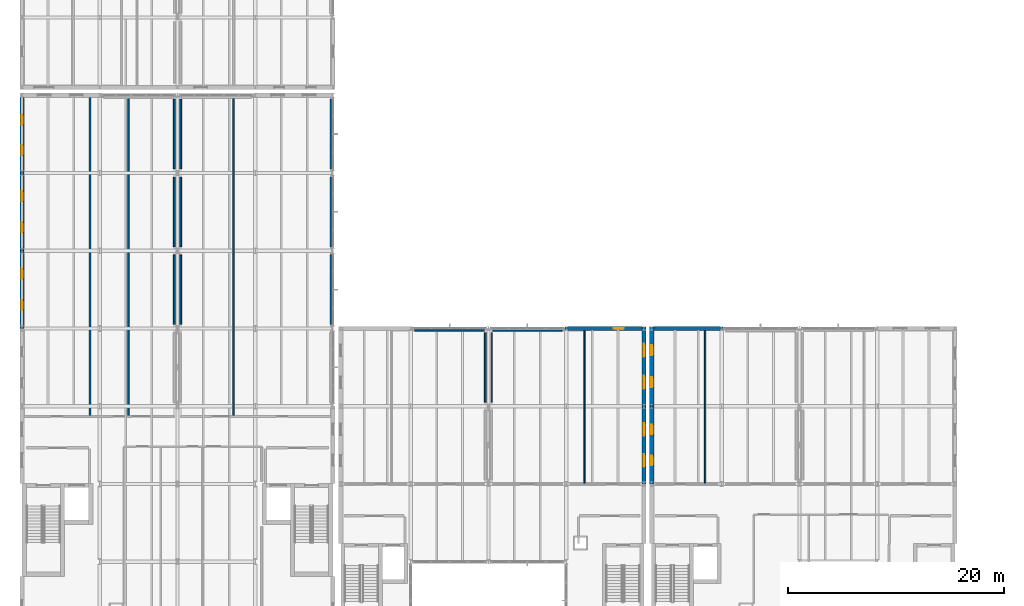
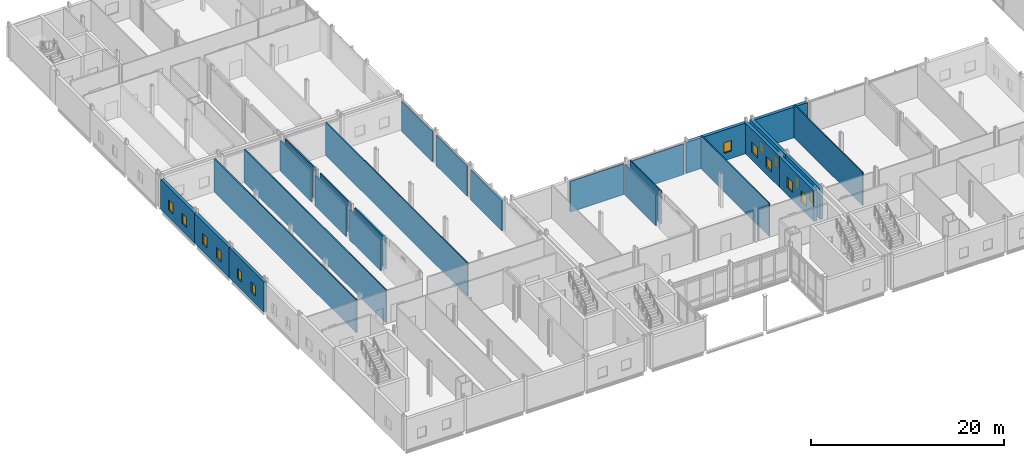
# One storey, part 54 of 76: 27 walls, 15 windows, 15 openings.
"""IFC4 building model written with IfcOpenShell, lengths in metres."""

from ifc_helpers import new_model, si_unit, direction, frame, frame_2d, origin, place, context, subcontext, project, spatial, rectangle, extrude, material, layer, layer_set, type_object, element, fill, save


model = new_model("IFC4")

# Units and contexts
model_context = context("Model", 3, precision=1e-05, world=origin(), true_north=direction((0.0, 1.0)))
body_context = subcontext(model_context, "Body", "Model", "MODEL_VIEW")
ifc_project = project(units=[si_unit("LENGTHUNIT", "METRE"), si_unit("AREAUNIT", "SQUARE_METRE"), si_unit("VOLUMEUNIT", "CUBIC_METRE"), si_unit("PLANEANGLEUNIT", "RADIAN"), si_unit("MASSUNIT", "GRAM", prefix="KILO")], contexts=[model_context])

# Site, building, storey
site_placement = place(None, origin())
site = spatial("IfcSite", under=ifc_project, at=site_placement, CompositionType="ELEMENT")
building_placement = place(site_placement, origin())
building = spatial("IfcBuilding", under=site, at=building_placement, Name="Zarrinpeak Specialist Clinic", CompositionType="ELEMENT")
storey_placement = place(building_placement, frame((0.0, 0.0, 5.199951171875)))
storey = spatial("IfcBuildingStorey", under=building, at=storey_placement, Name="L01", CompositionType="ELEMENT", Elevation=5.199951171875)

# Wall, openings, windows
ifc_material_1 = material(Name="Precast concrete C40/50", Category="concrete")
ifc_layer_1 = layer(ifc_material_1, 0.3798828125)
ifc_layer_set_1 = layer_set([ifc_layer_1], Name="Precast concrete C40/50")
wall_type_1 = type_object("IfcWallType", Name="WL-EW380", PredefinedType="STANDARD", material=ifc_layer_set_1)
wall_1_placement = place(storey_placement, frame((0.0, 36.0, 0.0), z_axis=(0.0, 0.0, 1.0), x_axis=(0.0, -1.0, 0.0)))
wall_1 = element("IfcWall", 1, at=wall_1_placement, inside=storey, type_object=wall_type_1, Name="L01 V1 Exterior GRC Wall EW-L01-V1-0024", PredefinedType="STANDARD", context=body_context, shape_type="SweptSolid", body=[
    extrude(rectangle(XDim=7.199951171875, YDim=0.3798828125, at=frame_2d((3.60009765625, 0.0))), origin(), (0.0, 0.0, 1.0), 3.81005859375),
])
opening_1_placement = place(wall_1_placement, frame((1.712890625, 0.0, 0.949951171875)))
opening_1 = element("IfcOpeningElement", 2, at=opening_1_placement, cuts=wall_1, Name="Opening WS-15", PredefinedType="OPENING", context=body_context, shape_type="SweptSolid", body=[
    extrude(rectangle(XDim=0.89404296875, YDim=1.2958984375, at=frame_2d((0.447021484375, 0.64794921875))), frame((0.0, 0.199951171875, 0.0), z_axis=(0.0, -1.0, 0.0), x_axis=(1.0, 0.0, 0.0)), (0.0, 0.0, 1.0), 0.39990234375),
])
opening_2_placement = place(wall_1_placement, frame((4.593017578125, 0.0, 0.949951171875)))
opening_2 = element("IfcOpeningElement", 3, at=opening_2_placement, cuts=wall_1, Name="Opening WS-15", PredefinedType="OPENING", context=body_context, shape_type="SweptSolid", body=[
    extrude(rectangle(XDim=0.89404296875, YDim=1.2958984375, at=frame_2d((0.447021484375, 0.64794921875))), frame((0.0, 0.199951171875, 0.0), z_axis=(0.0, -1.0, 0.0), x_axis=(1.0, 0.0, 0.0)), (0.0, 0.0, 1.0), 0.39990234375),
])
ifc_material_2 = material(Name="Thermally Broken Aluminium and Low-E Glazing", Category="aluminium")
window_type_1 = type_object("IfcWindowType", Name="WN-SP15", PartitioningType="SINGLE_PANEL", PredefinedType="WINDOW", material=ifc_material_2)
window_1_placement = place(opening_1_placement, origin())
window_1 = element("IfcWindow", 4, at=window_1_placement, inside=storey, type_object=window_type_1, Name="L01 Modular Facade Window WN-L01-0034", OverallHeight=1.2958984375, OverallWidth=0.89404296875, PartitioningType="SINGLE_PANEL", PredefinedType="WINDOW", context=body_context, shape_type="SweptSolid", body=[
    extrude(rectangle(XDim=0.89404296875, YDim=1.2958984375, at=frame_2d((0.447021484375, 0.64794921875))), frame((0.0, 0.030029296875, 0.0), z_axis=(0.0, -1.0, 0.0), x_axis=(1.0, 0.0, 0.0)), (0.0, 0.0, 1.0), 0.06005859375),
])
fill(opening_1, window_1)
window_2_placement = place(opening_2_placement, origin())
window_2 = element("IfcWindow", 5, at=window_2_placement, inside=storey, type_object=window_type_1, Name="L01 Modular Facade Window WN-L01-0035", OverallHeight=1.2958984375, OverallWidth=0.89404296875, PartitioningType="SINGLE_PANEL", PredefinedType="WINDOW", context=body_context, shape_type="SweptSolid", body=[
    extrude(rectangle(XDim=0.89404296875, YDim=1.2958984375, at=frame_2d((0.447021484375, 0.64794921875))), frame((0.0, 0.030029296875, 0.0), z_axis=(0.0, -1.0, 0.0), x_axis=(1.0, 0.0, 0.0)), (0.0, 0.0, 1.0), 0.06005859375),
])
fill(opening_2, window_2)

wall_2_placement = place(storey_placement, frame((0.0, 43.199951171875, 0.0), z_axis=(0.0, 0.0, 1.0), x_axis=(0.0, -1.0, 0.0)))
wall_2 = element("IfcWall", 6, at=wall_2_placement, inside=storey, type_object=wall_type_1, Name="L01 V1 Exterior GRC Wall EW-L01-V1-0025", PredefinedType="STANDARD", context=body_context, shape_type="SweptSolid", body=[
    extrude(rectangle(XDim=7.199951171875, YDim=0.3798828125, at=frame_2d((3.60009765625, 0.0))), origin(), (0.0, 0.0, 1.0), 3.81005859375),
])
opening_3_placement = place(wall_2_placement, frame((1.696044921875, 0.0, 0.949951171875)))
opening_3 = element("IfcOpeningElement", 7, at=opening_3_placement, cuts=wall_2, Name="Opening WS-16", PredefinedType="OPENING", context=body_context, shape_type="SweptSolid", body=[
    extrude(rectangle(XDim=0.927978515625, YDim=1.2958984375, at=frame_2d((0.4638671875, 0.64794921875))), frame((0.0, 0.199951171875, 0.0), z_axis=(0.0, -1.0, 0.0), x_axis=(1.0, 0.0, 0.0)), (0.0, 0.0, 1.0), 0.39990234375),
])
opening_4_placement = place(wall_2_placement, frame((4.575927734375, 0.0, 0.949951171875)))
opening_4 = element("IfcOpeningElement", 8, at=opening_4_placement, cuts=wall_2, Name="Opening WS-16", PredefinedType="OPENING", context=body_context, shape_type="SweptSolid", body=[
    extrude(rectangle(XDim=0.927978515625, YDim=1.2958984375, at=frame_2d((0.4638671875, 0.64794921875))), frame((0.0, 0.199951171875, 0.0), z_axis=(0.0, -1.0, 0.0), x_axis=(1.0, 0.0, 0.0)), (0.0, 0.0, 1.0), 0.39990234375),
])
window_type_2 = type_object("IfcWindowType", Name="WN-SP16", PartitioningType="SINGLE_PANEL", PredefinedType="WINDOW", material=ifc_material_2)
window_3_placement = place(opening_3_placement, origin())
window_3 = element("IfcWindow", 9, at=window_3_placement, inside=storey, type_object=window_type_2, Name="L01 Modular Facade Window WN-L01-0036", OverallHeight=1.2958984375, OverallWidth=0.927978515625, PartitioningType="SINGLE_PANEL", PredefinedType="WINDOW", context=body_context, shape_type="SweptSolid", body=[
    extrude(rectangle(XDim=0.927978515625, YDim=1.2958984375, at=frame_2d((0.4638671875, 0.64794921875))), frame((0.0, 0.030029296875, 0.0), z_axis=(0.0, -1.0, 0.0), x_axis=(1.0, 0.0, 0.0)), (0.0, 0.0, 1.0), 0.06005859375),
])
fill(opening_3, window_3)
window_4_placement = place(opening_4_placement, origin())
window_4 = element("IfcWindow", 10, at=window_4_placement, inside=storey, type_object=window_type_2, Name="L01 Modular Facade Window WN-L01-0037", OverallHeight=1.2958984375, OverallWidth=0.927978515625, PartitioningType="SINGLE_PANEL", PredefinedType="WINDOW", context=body_context, shape_type="SweptSolid", body=[
    extrude(rectangle(XDim=0.927978515625, YDim=1.2958984375, at=frame_2d((0.4638671875, 0.64794921875))), frame((0.0, 0.030029296875, 0.0), z_axis=(0.0, -1.0, 0.0), x_axis=(1.0, 0.0, 0.0)), (0.0, 0.0, 1.0), 0.06005859375),
])
fill(opening_4, window_4)

wall_3_placement = place(storey_placement, frame((0.0, 50.2099609375, 0.0), z_axis=(0.0, 0.0, 1.0), x_axis=(0.0, -1.0, 0.0)))
wall_3 = element("IfcWall", 11, at=wall_3_placement, inside=storey, type_object=wall_type_1, Name="L01 V1 Exterior GRC Wall EW-L01-V1-0026", PredefinedType="STANDARD", context=body_context, shape_type="SweptSolid", body=[
    extrude(rectangle(XDim=7.010009765625, YDim=0.3798828125, at=frame_2d((3.5048828125, 0.0))), origin(), (0.0, 0.0, 1.0), 3.81005859375),
])
opening_5_placement = place(wall_3_placement, frame((1.6220703125, 0.0, 0.949951171875)))
opening_5 = element("IfcOpeningElement", 12, at=opening_5_placement, cuts=wall_3, Name="Opening WS-17", PredefinedType="OPENING", context=body_context, shape_type="SweptSolid", body=[
    extrude(rectangle(XDim=0.9619140625, YDim=1.2958984375, at=frame_2d((0.48095703125, 0.64794921875))), frame((0.0, 0.199951171875, 0.0), z_axis=(0.0, -1.0, 0.0), x_axis=(1.0, 0.0, 0.0)), (0.0, 0.0, 1.0), 0.39990234375),
])
opening_6_placement = place(wall_3_placement, frame((4.426025390625, 0.0, 0.949951171875)))
opening_6 = element("IfcOpeningElement", 13, at=opening_6_placement, cuts=wall_3, Name="Opening WS-17", PredefinedType="OPENING", context=body_context, shape_type="SweptSolid", body=[
    extrude(rectangle(XDim=0.9619140625, YDim=1.2958984375, at=frame_2d((0.48095703125, 0.64794921875))), frame((0.0, 0.199951171875, 0.0), z_axis=(0.0, -1.0, 0.0), x_axis=(1.0, 0.0, 0.0)), (0.0, 0.0, 1.0), 0.39990234375),
])
window_type_3 = type_object("IfcWindowType", Name="WN-SP17", PartitioningType="SINGLE_PANEL", PredefinedType="WINDOW", material=ifc_material_2)
window_5_placement = place(opening_5_placement, origin())
window_5 = element("IfcWindow", 14, at=window_5_placement, inside=storey, type_object=window_type_3, Name="L01 Modular Facade Window WN-L01-0038", OverallHeight=1.2958984375, OverallWidth=0.9619140625, PartitioningType="SINGLE_PANEL", PredefinedType="WINDOW", context=body_context, shape_type="SweptSolid", body=[
    extrude(rectangle(XDim=0.9619140625, YDim=1.2958984375, at=frame_2d((0.48095703125, 0.64794921875))), frame((0.0, 0.030029296875, 0.0), z_axis=(0.0, -1.0, 0.0), x_axis=(1.0, 0.0, 0.0)), (0.0, 0.0, 1.0), 0.06005859375),
])
fill(opening_5, window_5)
window_6_placement = place(opening_6_placement, origin())
window_6 = element("IfcWindow", 15, at=window_6_placement, inside=storey, type_object=window_type_3, Name="L01 Modular Facade Window WN-L01-0039", OverallHeight=1.2958984375, OverallWidth=0.9619140625, PartitioningType="SINGLE_PANEL", PredefinedType="WINDOW", context=body_context, shape_type="SweptSolid", body=[
    extrude(rectangle(XDim=0.9619140625, YDim=1.2958984375, at=frame_2d((0.48095703125, 0.64794921875))), frame((0.0, 0.030029296875, 0.0), z_axis=(0.0, -1.0, 0.0), x_axis=(1.0, 0.0, 0.0)), (0.0, 0.0, 1.0), 0.06005859375),
])
fill(opening_6, window_6)

# Wall, opening, window
wall_4_placement = place(storey_placement, frame((57.409912109375, 28.800048828125, 0.0), z_axis=(0.0, 0.0, 1.0), x_axis=(-1.0, 0.0, 0.0)))
wall_4 = element("IfcWall", 16, at=wall_4_placement, inside=storey, type_object=wall_type_1, Name="L01 V2 Exterior GRC Wall EW-L01-V2-0112", PredefinedType="STANDARD", context=body_context, shape_type="SweptSolid", body=[
    extrude(rectangle(XDim=7.119873046875, YDim=0.3798828125, at=frame_2d((3.56005859375, 0.0))), origin(), (0.0, 0.0, 1.0), 3.880126953125),
])
opening_7_placement = place(wall_4_placement, frame((1.672119140625, 0.0, 0.949951171875)))
opening_7 = element("IfcOpeningElement", 17, at=opening_7_placement, cuts=wall_4, Name="Opening WS-29", PredefinedType="OPENING", context=body_context, shape_type="SweptSolid", body=[
    extrude(rectangle(XDim=0.927978515625, YDim=1.33203125, at=frame_2d((0.4638671875, 0.666015625))), frame((0.0, 0.199951171875, 0.0), z_axis=(0.0, -1.0, 0.0), x_axis=(1.0, 0.0, 0.0)), (0.0, 0.0, 1.0), 0.39990234375),
])
window_type_4 = type_object("IfcWindowType", Name="WN-SP29", PartitioningType="SINGLE_PANEL", PredefinedType="WINDOW", material=ifc_material_2)
window_7_placement = place(opening_7_placement, origin())
window_7 = element("IfcWindow", 18, at=window_7_placement, inside=storey, type_object=window_type_4, Name="L01 Modular Facade Window WN-L01-0149", OverallHeight=1.33203125, OverallWidth=0.927978515625, PartitioningType="SINGLE_PANEL", PredefinedType="WINDOW", context=body_context, shape_type="SweptSolid", body=[
    extrude(rectangle(XDim=0.927978515625, YDim=1.33203125, at=frame_2d((0.4638671875, 0.666015625))), frame((0.0, 0.030029296875, 0.0), z_axis=(0.0, -1.0, 0.0), x_axis=(1.0, 0.0, 0.0)), (0.0, 0.0, 1.0), 0.06005859375),
])
fill(opening_7, window_7)

# Wall, openings, windows
wall_5_placement = place(storey_placement, frame((57.60009765625, 14.39990234375, 0.0), z_axis=(0.0, 0.0, 1.0), x_axis=(0.0, 1.0, 0.0)))
wall_5 = element("IfcWall", 19, at=wall_5_placement, inside=storey, type_object=wall_type_1, Name="L01 V2 Exterior GRC Wall EW-L01-V2-0119", PredefinedType="STANDARD", context=body_context, shape_type="SweptSolid", body=[
    extrude(rectangle(XDim=7.2001953125, YDim=0.3798828125, at=frame_2d((3.60009765625, 0.0))), origin(), (0.0, 0.0, 1.0), 3.880126953125),
])
opening_8_placement = place(wall_5_placement, frame((1.576904296875, 0.0, 0.949951171875)))
opening_8 = element("IfcOpeningElement", 20, at=opening_8_placement, cuts=wall_5, Name="Opening WS-36", PredefinedType="OPENING", context=body_context, shape_type="SweptSolid", body=[
    extrude(rectangle(XDim=1.166015625, YDim=1.33203125, at=frame_2d((0.5830078125, 0.666015625))), frame((0.0, 0.199951171875, 0.0), z_axis=(0.0, -1.0, 0.0), x_axis=(1.0, 0.0, 0.0)), (0.0, 0.0, 1.0), 0.39990234375),
])
opening_9_placement = place(wall_5_placement, frame((4.45703125, 0.0, 0.949951171875)))
opening_9 = element("IfcOpeningElement", 21, at=opening_9_placement, cuts=wall_5, Name="Opening WS-36", PredefinedType="OPENING", context=body_context, shape_type="SweptSolid", body=[
    extrude(rectangle(XDim=1.166015625, YDim=1.33203125, at=frame_2d((0.5830078125, 0.666015625))), frame((0.0, 0.199951171875, 0.0), z_axis=(0.0, -1.0, 0.0), x_axis=(1.0, 0.0, 0.0)), (0.0, 0.0, 1.0), 0.39990234375),
])
window_type_5 = type_object("IfcWindowType", Name="WN-SP36", PartitioningType="SINGLE_PANEL", PredefinedType="WINDOW", material=ifc_material_2)
window_8_placement = place(opening_8_placement, origin())
window_8 = element("IfcWindow", 22, at=window_8_placement, inside=storey, type_object=window_type_5, Name="L01 Modular Facade Window WN-L01-0154", OverallHeight=1.33203125, OverallWidth=1.166015625, PartitioningType="SINGLE_PANEL", PredefinedType="WINDOW", context=body_context, shape_type="SweptSolid", body=[
    extrude(rectangle(XDim=1.166015625, YDim=1.33203125, at=frame_2d((0.5830078125, 0.666015625))), frame((0.0, 0.030029296875, 0.0), z_axis=(0.0, -1.0, 0.0), x_axis=(1.0, 0.0, 0.0)), (0.0, 0.0, 1.0), 0.06005859375),
])
fill(opening_8, window_8)
window_9_placement = place(opening_9_placement, origin())
window_9 = element("IfcWindow", 23, at=window_9_placement, inside=storey, type_object=window_type_5, Name="L01 Modular Facade Window WN-L01-0155", OverallHeight=1.33203125, OverallWidth=1.166015625, PartitioningType="SINGLE_PANEL", PredefinedType="WINDOW", context=body_context, shape_type="SweptSolid", body=[
    extrude(rectangle(XDim=1.166015625, YDim=1.33203125, at=frame_2d((0.5830078125, 0.666015625))), frame((0.0, 0.030029296875, 0.0), z_axis=(0.0, -1.0, 0.0), x_axis=(1.0, 0.0, 0.0)), (0.0, 0.0, 1.0), 0.06005859375),
])
fill(opening_9, window_9)

wall_6_placement = place(storey_placement, frame((57.60009765625, 21.60009765625, 0.0), z_axis=(0.0, 0.0, 1.0), x_axis=(0.0, 1.0, 0.0)))
wall_6 = element("IfcWall", 24, at=wall_6_placement, inside=storey, type_object=wall_type_1, Name="L01 V2 Exterior GRC Wall EW-L01-V2-0120", PredefinedType="STANDARD", context=body_context, shape_type="SweptSolid", body=[
    extrude(rectangle(XDim=7.389892578125, YDim=0.3798828125, at=frame_2d((3.69482421875, 0.0))), origin(), (0.0, 0.0, 1.0), 3.880126953125),
])
opening_10_placement = place(wall_6_placement, frame((1.616943359375, 0.0, 0.949951171875)))
opening_10 = element("IfcOpeningElement", 25, at=opening_10_placement, cuts=wall_6, Name="Opening WS-37", PredefinedType="OPENING", context=body_context, shape_type="SweptSolid", body=[
    extrude(rectangle(XDim=1.199951171875, YDim=1.33203125, at=frame_2d((0.60009765625, 0.666015625))), frame((0.0, 0.199951171875, 0.0), z_axis=(0.0, -1.0, 0.0), x_axis=(1.0, 0.0, 0.0)), (0.0, 0.0, 1.0), 0.39990234375),
])
opening_11_placement = place(wall_6_placement, frame((4.572998046875, 0.0, 0.949951171875)))
opening_11 = element("IfcOpeningElement", 26, at=opening_11_placement, cuts=wall_6, Name="Opening WS-37", PredefinedType="OPENING", context=body_context, shape_type="SweptSolid", body=[
    extrude(rectangle(XDim=1.199951171875, YDim=1.33203125, at=frame_2d((0.60009765625, 0.666015625))), frame((0.0, 0.199951171875, 0.0), z_axis=(0.0, -1.0, 0.0), x_axis=(1.0, 0.0, 0.0)), (0.0, 0.0, 1.0), 0.39990234375),
])
window_type_6 = type_object("IfcWindowType", Name="WN-SP37", PartitioningType="SINGLE_PANEL", PredefinedType="WINDOW", material=ifc_material_2)
window_10_placement = place(opening_10_placement, origin())
window_10 = element("IfcWindow", 27, at=window_10_placement, inside=storey, type_object=window_type_6, Name="L01 Modular Facade Window WN-L01-0156", OverallHeight=1.33203125, OverallWidth=1.199951171875, PartitioningType="SINGLE_PANEL", PredefinedType="WINDOW", context=body_context, shape_type="SweptSolid", body=[
    extrude(rectangle(XDim=1.199951171875, YDim=1.33203125, at=frame_2d((0.60009765625, 0.666015625))), frame((0.0, 0.030029296875, 0.0), z_axis=(0.0, -1.0, 0.0), x_axis=(1.0, 0.0, 0.0)), (0.0, 0.0, 1.0), 0.06005859375),
])
fill(opening_10, window_10)
window_11_placement = place(opening_11_placement, origin())
window_11 = element("IfcWindow", 28, at=window_11_placement, inside=storey, type_object=window_type_6, Name="L01 Modular Facade Window WN-L01-0157", OverallHeight=1.33203125, OverallWidth=1.199951171875, PartitioningType="SINGLE_PANEL", PredefinedType="WINDOW", context=body_context, shape_type="SweptSolid", body=[
    extrude(rectangle(XDim=1.199951171875, YDim=1.33203125, at=frame_2d((0.60009765625, 0.666015625))), frame((0.0, 0.030029296875, 0.0), z_axis=(0.0, -1.0, 0.0), x_axis=(1.0, 0.0, 0.0)), (0.0, 0.0, 1.0), 0.06005859375),
])
fill(opening_11, window_11)

# Wall
wall_7_placement = place(storey_placement, frame((64.909912109375, 28.800048828125, 0.0), z_axis=(0.0, 0.0, 1.0), x_axis=(-1.0, 0.0, 0.0)))
element("IfcWall", 29, at=wall_7_placement, inside=storey, type_object=wall_type_1, Name="L01 V4 Exterior GRC Wall EW-L01-V4-0168", PredefinedType="STANDARD", context=body_context, shape_type="SweptSolid", body=[
    extrude(rectangle(XDim=6.39990234375, YDim=0.3798828125, at=frame_2d((3.199951171875, 0.0))), origin(), (0.0, 0.0, 1.0), 3.880126953125),
])

# Wall, openings, windows
wall_8_placement = place(storey_placement, frame((58.320068359375, 21.60009765625, 0.0), z_axis=(0.0, 0.0, 1.0), x_axis=(0.0, -1.0, 0.0)))
wall_8 = element("IfcWall", 30, at=wall_8_placement, inside=storey, type_object=wall_type_1, Name="L01 V4 Exterior GRC Wall EW-L01-V4-0172", PredefinedType="STANDARD", context=body_context, shape_type="SweptSolid", body=[
    extrude(rectangle(XDim=7.2001953125, YDim=0.3798828125, at=frame_2d((3.60009765625, 0.0))), origin(), (0.0, 0.0, 1.0), 3.880126953125),
])
opening_12_placement = place(wall_8_placement, frame((1.712890625, 0.0, 0.949951171875)))
opening_12 = element("IfcOpeningElement", 31, at=opening_12_placement, cuts=wall_8, Name="Opening WS-15", PredefinedType="OPENING", context=body_context, shape_type="SweptSolid", body=[
    extrude(rectangle(XDim=0.89404296875, YDim=1.2958984375, at=frame_2d((0.447021484375, 0.64794921875))), frame((0.0, 0.199951171875, 0.0), z_axis=(0.0, -1.0, 0.0), x_axis=(1.0, 0.0, 0.0)), (0.0, 0.0, 1.0), 0.39990234375),
])
opening_13_placement = place(wall_8_placement, frame((4.593017578125, 0.0, 0.949951171875)))
opening_13 = element("IfcOpeningElement", 32, at=opening_13_placement, cuts=wall_8, Name="Opening WS-15", PredefinedType="OPENING", context=body_context, shape_type="SweptSolid", body=[
    extrude(rectangle(XDim=0.89404296875, YDim=1.2958984375, at=frame_2d((0.447021484375, 0.64794921875))), frame((0.0, 0.199951171875, 0.0), z_axis=(0.0, -1.0, 0.0), x_axis=(1.0, 0.0, 0.0)), (0.0, 0.0, 1.0), 0.39990234375),
])
window_12_placement = place(opening_12_placement, origin())
window_12 = element("IfcWindow", 33, at=window_12_placement, inside=storey, type_object=window_type_1, Name="L01 Modular Facade Window WN-L01-0202", OverallHeight=1.2958984375, OverallWidth=0.89404296875, PartitioningType="SINGLE_PANEL", PredefinedType="WINDOW", context=body_context, shape_type="SweptSolid", body=[
    extrude(rectangle(XDim=0.89404296875, YDim=1.2958984375, at=frame_2d((0.447021484375, 0.64794921875))), frame((0.0, 0.030029296875, 0.0), z_axis=(0.0, -1.0, 0.0), x_axis=(1.0, 0.0, 0.0)), (0.0, 0.0, 1.0), 0.06005859375),
])
fill(opening_12, window_12)
window_13_placement = place(opening_13_placement, origin())
window_13 = element("IfcWindow", 34, at=window_13_placement, inside=storey, type_object=window_type_1, Name="L01 Modular Facade Window WN-L01-0203", OverallHeight=1.2958984375, OverallWidth=0.89404296875, PartitioningType="SINGLE_PANEL", PredefinedType="WINDOW", context=body_context, shape_type="SweptSolid", body=[
    extrude(rectangle(XDim=0.89404296875, YDim=1.2958984375, at=frame_2d((0.447021484375, 0.64794921875))), frame((0.0, 0.030029296875, 0.0), z_axis=(0.0, -1.0, 0.0), x_axis=(1.0, 0.0, 0.0)), (0.0, 0.0, 1.0), 0.06005859375),
])
fill(opening_13, window_13)

wall_9_placement = place(storey_placement, frame((58.320068359375, 28.989990234375, 0.0), z_axis=(0.0, 0.0, 1.0), x_axis=(0.0, -1.0, 0.0)))
wall_9 = element("IfcWall", 35, at=wall_9_placement, inside=storey, type_object=wall_type_1, Name="L01 V4 Exterior GRC Wall EW-L01-V4-0173", PredefinedType="STANDARD", context=body_context, shape_type="SweptSolid", body=[
    extrude(rectangle(XDim=7.389892578125, YDim=0.3798828125, at=frame_2d((3.69482421875, 0.0))), origin(), (0.0, 0.0, 1.0), 3.880126953125),
])
opening_14_placement = place(wall_9_placement, frame((1.7529296875, 0.0, 0.949951171875)))
opening_14 = element("IfcOpeningElement", 36, at=opening_14_placement, cuts=wall_9, Name="Opening WS-16", PredefinedType="OPENING", context=body_context, shape_type="SweptSolid", body=[
    extrude(rectangle(XDim=0.927978515625, YDim=1.2958984375, at=frame_2d((0.4638671875, 0.64794921875))), frame((0.0, 0.199951171875, 0.0), z_axis=(0.0, -1.0, 0.0), x_axis=(1.0, 0.0, 0.0)), (0.0, 0.0, 1.0), 0.39990234375),
])
opening_15_placement = place(wall_9_placement, frame((4.708984375, 0.0, 0.949951171875)))
opening_15 = element("IfcOpeningElement", 37, at=opening_15_placement, cuts=wall_9, Name="Opening WS-16", PredefinedType="OPENING", context=body_context, shape_type="SweptSolid", body=[
    extrude(rectangle(XDim=0.927978515625, YDim=1.2958984375, at=frame_2d((0.4638671875, 0.64794921875))), frame((0.0, 0.199951171875, 0.0), z_axis=(0.0, -1.0, 0.0), x_axis=(1.0, 0.0, 0.0)), (0.0, 0.0, 1.0), 0.39990234375),
])
window_14_placement = place(opening_14_placement, origin())
window_14 = element("IfcWindow", 38, at=window_14_placement, inside=storey, type_object=window_type_2, Name="L01 Modular Facade Window WN-L01-0204", OverallHeight=1.2958984375, OverallWidth=0.927978515625, PartitioningType="SINGLE_PANEL", PredefinedType="WINDOW", context=body_context, shape_type="SweptSolid", body=[
    extrude(rectangle(XDim=0.927978515625, YDim=1.2958984375, at=frame_2d((0.4638671875, 0.64794921875))), frame((0.0, 0.030029296875, 0.0), z_axis=(0.0, -1.0, 0.0), x_axis=(1.0, 0.0, 0.0)), (0.0, 0.0, 1.0), 0.06005859375),
])
fill(opening_14, window_14)
window_15_placement = place(opening_15_placement, origin())
window_15 = element("IfcWindow", 39, at=window_15_placement, inside=storey, type_object=window_type_2, Name="L01 Modular Facade Window WN-L01-0205", OverallHeight=1.2958984375, OverallWidth=0.927978515625, PartitioningType="SINGLE_PANEL", PredefinedType="WINDOW", context=body_context, shape_type="SweptSolid", body=[
    extrude(rectangle(XDim=0.927978515625, YDim=1.2958984375, at=frame_2d((0.4638671875, 0.64794921875))), frame((0.0, 0.030029296875, 0.0), z_axis=(0.0, -1.0, 0.0), x_axis=(1.0, 0.0, 0.0)), (0.0, 0.0, 1.0), 0.06005859375),
])
fill(opening_15, window_15)

# Walls
ifc_material_3 = material(Name="Cleanroom Flush Phenolic Partition", Category="gypsum")
ifc_layer_2 = layer(ifc_material_3, 0.117919921875)
ifc_layer_set_2 = layer_set([ifc_layer_2], Name="Cleanroom Flush Phenolic Partition")
wall_type_2 = type_object("IfcWallType", Name="WL-IW118", PredefinedType="PARTITIONING", material=ifc_layer_set_2)
wall_10_placement = place(storey_placement, frame((43.580078125, 28.60009765625, 0.0), z_axis=(0.0, 0.0, 1.0), x_axis=(1.0, 0.0, 0.0)))
element("IfcWall", 40, at=wall_10_placement, inside=storey, type_object=wall_type_2, Name="L01 Compounding Cleanroom Pharmacy Partition", PredefinedType="PARTITIONING", context=body_context, shape_type="SweptSolid", body=[
    extrude(rectangle(XDim=6.43994140625, YDim=0.117919921875, at=frame_2d((3.219970703125, 0.0))), origin(), (0.0, 0.0, 1.0), 3.880126953125),
])
wall_11_placement = place(storey_placement, frame((43.5, 21.97998046875, 0.0), z_axis=(0.0, 0.0, 1.0), x_axis=(0.0, 1.0, 0.0)))
element("IfcWall", 41, at=wall_11_placement, inside=storey, type_object=wall_type_2, Name="L01 Compounding Cleanroom Pharmacy Dividing Partition", PredefinedType="PARTITIONING", context=body_context, shape_type="SweptSolid", body=[
    extrude(rectangle(XDim=6.43994140625, YDim=0.117919921875, at=frame_2d((3.219970703125, 0.0))), origin(), (0.0, 0.0, 1.0), 4.18505859375),
])
ifc_material_4 = material(Name="Moisture-Resistant Wet-Room Partition", Category="gypsum")
ifc_layer_3 = layer(ifc_material_4, 0.125)
ifc_layer_set_3 = layer_set([ifc_layer_3], Name="Moisture-Resistant Wet-Room Partition")
wall_type_3 = type_object("IfcWallType", Name="WL-IW125W", PredefinedType="PARTITIONING", material=ifc_layer_set_3)
for number, where, z_axis, x_axis, name in (
    (42, (52.10009765625, 14.41259765625, 0.0), (0.0, 0.0, 1.0), (0.0, 1.0, 0.0), "L01 Staff WC Dividing Partition"),
    (43, (63.27001953125, 14.41259765625, 0.0), (0.0, 0.0, 1.0), (0.0, 1.0, 0.0), "L01 Staff Scrub WC Dividing Partition"),
):
    element("IfcWall", number, at=place(storey_placement, frame(where, z_axis=z_axis, x_axis=x_axis)), inside=storey, type_object=wall_type_3, Name=name, PredefinedType="PARTITIONING", context=body_context, shape_type="SweptSolid", body=[
        extrude(rectangle(XDim=14.1875, YDim=0.125, at=frame_2d((7.09375, 0.0))), origin(), (0.0, 0.0, 1.0), 4.18505859375),
    ])
ifc_material_5 = material(Name="Standard Drywall Partition", Category="gypsum")
ifc_layer_4 = layer(ifc_material_5, 0.135009765625)
ifc_layer_set_4 = layer_set([ifc_layer_4], Name="Standard Drywall Partition")
wall_type_4 = type_object("IfcWallType", Name="WL-IW135", PredefinedType="PARTITIONING", material=ifc_layer_set_4)
wall_12_placement = place(storey_placement, frame((19.60009765625, 20.72998046875, 0.0), z_axis=(0.0, 0.0, 1.0), x_axis=(0.0, 1.0, 0.0)))
element("IfcWall", 44, at=wall_12_placement, inside=storey, type_object=wall_type_4, Name="L01 Cardiac Stress Testing Room Dividing Partition", PredefinedType="PARTITIONING", context=body_context, shape_type="SweptSolid", body=[
    extrude(rectangle(XDim=29.39013671875, YDim=0.135009765625, at=frame_2d((14.695068359375, 0.0))), origin(), (0.0, 0.0, 1.0), 4.18505859375),
])
wall_13_placement = place(storey_placement, frame((28.60009765625, 43.580078125, 0.0), z_axis=(0.0, 0.0, 1.0), x_axis=(0.0, 1.0, 0.0)))
element("IfcWall", 45, at=wall_13_placement, inside=storey, type_object=wall_type_4, Name="L01 Specialist Consultation Room 1 Dividing Partition", PredefinedType="PARTITIONING", context=body_context, shape_type="SweptSolid", body=[
    extrude(rectangle(XDim=6.43994140625, YDim=0.135009765625, at=frame_2d((3.219970703125, 0.0))), origin(), (0.0, 0.0, 1.0), 3.81005859375),
])
ifc_material_6 = material(Name="Acoustic Consultation Stud Partition", Category="gypsum")
ifc_layer_5 = layer(ifc_material_6, 0.14208984375)
ifc_layer_set_5 = layer_set([ifc_layer_5], Name="Acoustic Consultation Stud Partition")
wall_type_5 = type_object("IfcWallType", Name="WL-IW142", PredefinedType="PARTITIONING", material=ifc_layer_set_5)
wall_14_placement = place(storey_placement, frame((36.3798828125, 28.60009765625, 0.0), z_axis=(0.0, 0.0, 1.0), x_axis=(1.0, 0.0, 0.0)))
element("IfcWall", 46, at=wall_14_placement, inside=storey, type_object=wall_type_5, Name="L01 Medication Counseling Consult Partition", PredefinedType="PARTITIONING", context=body_context, shape_type="SweptSolid", body=[
    extrude(rectangle(XDim=6.440185546875, YDim=0.14208984375, at=frame_2d((3.22021484375, 0.0))), origin(), (0.0, 0.0, 1.0), 3.880126953125),
])
wall_15_placement = place(storey_placement, frame((14.699951171875, 43.580078125, 0.0), z_axis=(0.0, 0.0, 1.0), x_axis=(0.0, 1.0, 0.0)))
element("IfcWall", 47, at=wall_15_placement, inside=storey, type_object=wall_type_5, Name="L01 Cardiac Stress Testing Room Dividing Partition", PredefinedType="PARTITIONING", context=body_context, shape_type="SweptSolid", body=[
    extrude(rectangle(XDim=6.43994140625, YDim=0.14208984375, at=frame_2d((3.219970703125, 0.0))), origin(), (0.0, 0.0, 1.0), 3.880126953125),
])
wall_16_placement = place(storey_placement, frame((28.60009765625, 36.3798828125, 0.0), z_axis=(0.0, 0.0, 1.0), x_axis=(0.0, 1.0, 0.0)))
element("IfcWall", 48, at=wall_16_placement, inside=storey, type_object=wall_type_5, Name="L01 Specialist Consultation Room 1 Dividing Partition", PredefinedType="PARTITIONING", context=body_context, shape_type="SweptSolid", body=[
    extrude(rectangle(XDim=6.440185546875, YDim=0.14208984375, at=frame_2d((3.22021484375, 0.0))), origin(), (0.0, 0.0, 1.0), 3.81005859375),
])
ifc_material_7 = material(Name="Insulated Clinical Gypsum Stud Partition", Category="gypsum")
ifc_layer_6 = layer(ifc_material_7, 0.14990234375)
ifc_layer_set_6 = layer_set([ifc_layer_6], Name="Insulated Clinical Gypsum Stud Partition")
wall_type_6 = type_object("IfcWallType", Name="WL-IW150", PredefinedType="PARTITIONING", material=ifc_layer_set_6)
wall_17_placement = place(storey_placement, frame((9.85009765625, 20.717529296875, 0.0), z_axis=(0.0, 0.0, 1.0), x_axis=(0.0, 1.0, 0.0)))
element("IfcWall", 49, at=wall_17_placement, inside=storey, type_object=wall_type_6, Name="L01 Cardiology Echocardiography Room Dividing Partition", PredefinedType="PARTITIONING", context=body_context, shape_type="SweptSolid", body=[
    extrude(rectangle(XDim=29.411376953125, YDim=0.14990234375, at=frame_2d((14.70556640625, 0.0))), origin(), (0.0, 0.0, 1.0), 4.18505859375),
])
wall_18_placement = place(storey_placement, frame((14.699951171875, 36.3798828125, 0.0), z_axis=(0.0, 0.0, 1.0), x_axis=(0.0, 1.0, 0.0)))
element("IfcWall", 50, at=wall_18_placement, inside=storey, type_object=wall_type_6, Name="L01 Cardiac Stress Testing Room Dividing Partition", PredefinedType="PARTITIONING", context=body_context, shape_type="SweptSolid", body=[
    extrude(rectangle(XDim=6.440185546875, YDim=0.14990234375, at=frame_2d((3.22021484375, 0.0))), origin(), (0.0, 0.0, 1.0), 3.880126953125),
])
wall_19_placement = place(storey_placement, frame((28.60009765625, 29.179931640625, 0.0), z_axis=(0.0, 0.0, 1.0), x_axis=(0.0, 1.0, 0.0)))
element("IfcWall", 51, at=wall_19_placement, inside=storey, type_object=wall_type_6, Name="L01 Specialist Consultation Room 1 Dividing Partition", PredefinedType="PARTITIONING", context=body_context, shape_type="SweptSolid", body=[
    extrude(rectangle(XDim=6.440185546875, YDim=0.14990234375, at=frame_2d((3.22021484375, 0.0))), origin(), (0.0, 0.0, 1.0), 3.81005859375),
])
ifc_material_8 = material(Name="Lead-Lined X-Ray Diagnostic Partition", Category="gypsum")
ifc_layer_7 = layer(ifc_material_8, 0.157958984375)
ifc_layer_set_7 = layer_set([ifc_layer_7], Name="Lead-Lined X-Ray Diagnostic Partition")
wall_type_7 = type_object("IfcWallType", Name="WL-IW158", PredefinedType="PARTITIONING", material=ifc_layer_set_7)
for number, where, z_axis, x_axis, name in (
    (52, (14.10009765625, 29.179931640625, 0.0), (0.0, 0.0, 1.0), (0.0, 1.0, 0.0), "L01 Vascular Doppler Lab Dividing Partition"),
    (53, (14.10009765625, 36.3798828125, 0.0), (0.0, 0.0, 1.0), (0.0, 1.0, 0.0), "L01 Vascular Doppler Lab Dividing Partition"),
):
    element("IfcWall", number, at=place(storey_placement, frame(where, z_axis=z_axis, x_axis=x_axis)), inside=storey, type_object=wall_type_7, Name=name, PredefinedType="PARTITIONING", context=body_context, shape_type="SweptSolid", body=[
        extrude(rectangle(XDim=6.440185546875, YDim=0.157958984375, at=frame_2d((3.22021484375, 0.0))), origin(), (0.0, 0.0, 1.0), 3.880126953125),
    ])
wall_20_placement = place(storey_placement, frame((14.10009765625, 43.580078125, 0.0), z_axis=(0.0, 0.0, 1.0), x_axis=(0.0, 1.0, 0.0)))
element("IfcWall", 54, at=wall_20_placement, inside=storey, type_object=wall_type_7, Name="L01 Vascular Doppler Lab Dividing Partition", PredefinedType="PARTITIONING", context=body_context, shape_type="SweptSolid", body=[
    extrude(rectangle(XDim=6.43994140625, YDim=0.157958984375, at=frame_2d((3.219970703125, 0.0))), origin(), (0.0, 0.0, 1.0), 3.880126953125),
])
ifc_material_9 = material(Name="Acoustic Double Gypsum Stud Partition", Category="gypsum")
ifc_layer_8 = layer(ifc_material_9, 0.159912109375)
ifc_layer_set_8 = layer_set([ifc_layer_8], Name="Acoustic Double Gypsum Stud Partition")
wall_type_8 = type_object("IfcWallType", Name="WL-IW160", PredefinedType="PARTITIONING", material=ifc_layer_set_8)
wall_21_placement = place(storey_placement, frame((6.300048828125, 20.717529296875, 0.0), z_axis=(0.0, 0.0, 1.0), x_axis=(0.0, 1.0, 0.0)))
element("IfcWall", 55, at=wall_21_placement, inside=storey, type_object=wall_type_8, Name="L01 Cardiology Echocardiography Room Dividing Partition", PredefinedType="PARTITIONING", context=body_context, shape_type="SweptSolid", body=[
    extrude(rectangle(XDim=29.482421875, YDim=0.159912109375, at=frame_2d((14.7412109375, 0.0))), origin(), (0.0, 0.0, 1.0), 4.18505859375),
])
wall_22_placement = place(storey_placement, frame((14.699951171875, 29.179931640625, 0.0), z_axis=(0.0, 0.0, 1.0), x_axis=(0.0, 1.0, 0.0)))
element("IfcWall", 56, at=wall_22_placement, inside=storey, type_object=wall_type_8, Name="L01 Cardiac Stress Testing Room Dividing Partition", PredefinedType="PARTITIONING", context=body_context, shape_type="SweptSolid", body=[
    extrude(rectangle(XDim=6.440185546875, YDim=0.159912109375, at=frame_2d((3.22021484375, 0.0))), origin(), (0.0, 0.0, 1.0), 3.880126953125),
])
wall_23_placement = place(storey_placement, frame((42.89990234375, 21.97998046875, 0.0), z_axis=(0.0, 0.0, 1.0), x_axis=(0.0, 1.0, 0.0)))
element("IfcWall", 57, at=wall_23_placement, inside=storey, type_object=wall_type_8, Name="L01 Medication Counseling Consult Dividing Partition", PredefinedType="PARTITIONING", context=body_context, shape_type="SweptSolid", body=[
    extrude(rectangle(XDim=6.43994140625, YDim=0.159912109375, at=frame_2d((3.219970703125, 0.0))), origin(), (0.0, 0.0, 1.0), 3.880126953125),
])

save(model, "model.ifc")
